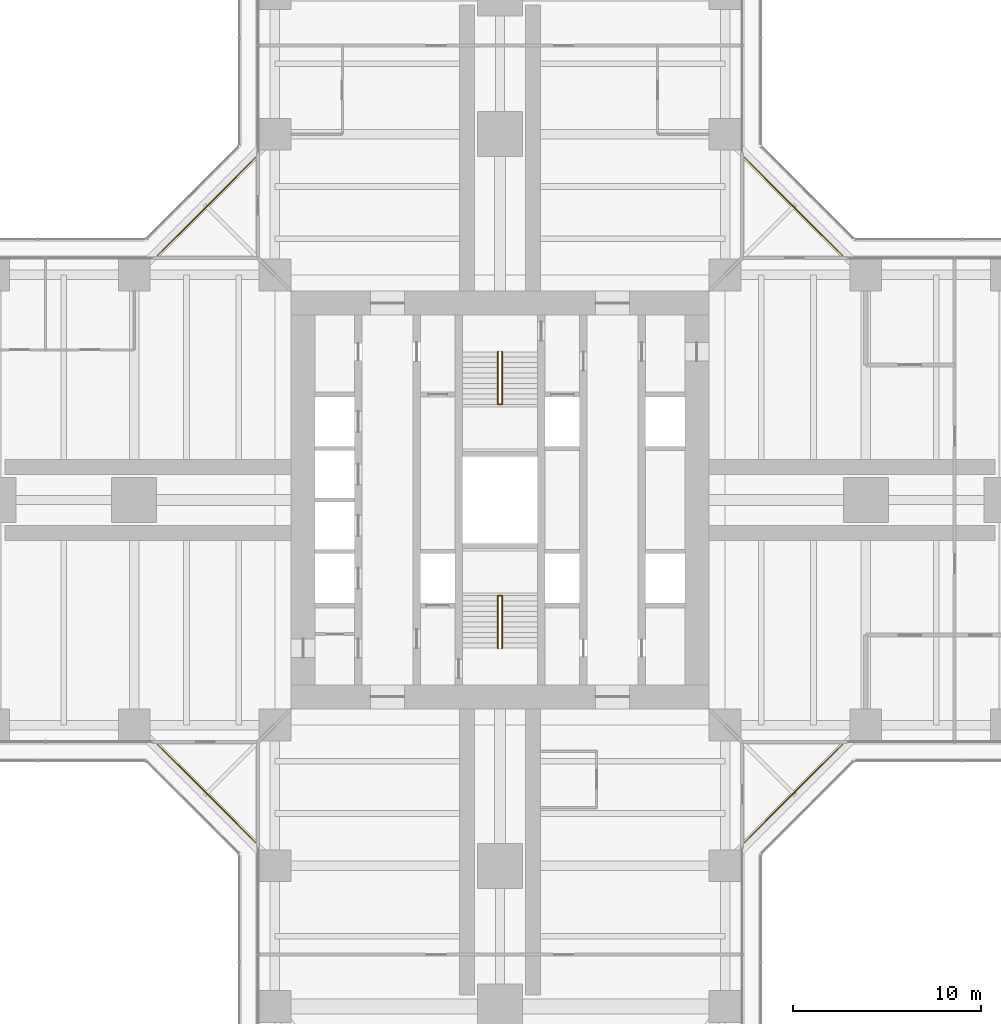
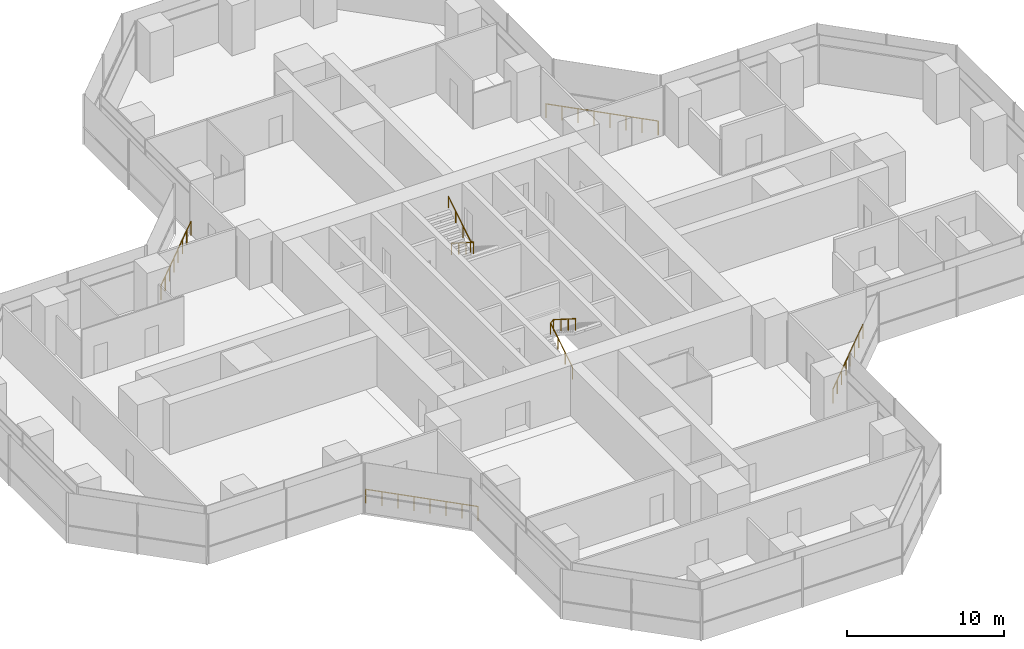
# One storey, part 22 of 22: 6 railings.
"""IFC4 building model written with IfcOpenShell, lengths in metres."""

from ifc_helpers import new_model, si_unit, direction, frame, origin, origin_2d, place, context, subcontext, project, spatial, circle, extrude, material, type_object, element, save


model = new_model("IFC4")

# Units and contexts
model_context = context("Model", 3, precision=1e-05, world=origin(), true_north=direction((0.0, 1.0)))
body_context = subcontext(model_context, "Body", "Model", "MODEL_VIEW")
ifc_project = project(units=[si_unit("LENGTHUNIT", "METRE"), si_unit("AREAUNIT", "SQUARE_METRE"), si_unit("VOLUMEUNIT", "CUBIC_METRE"), si_unit("PLANEANGLEUNIT", "RADIAN"), si_unit("MASSUNIT", "GRAM", prefix="KILO")], contexts=[model_context])

# Site, building, storey
site_placement = place(None, origin())
site = spatial("IfcSite", under=ifc_project, at=site_placement, CompositionType="ELEMENT")
building_placement = place(site_placement, origin())
building = spatial("IfcBuilding", under=site, at=building_placement, Name="Mizan Broadcast Tower", CompositionType="ELEMENT")
storey_placement = place(building_placement, frame((0.0, 0.0, 78.60009765625)))
storey = spatial("IfcBuildingStorey", under=building, at=storey_placement, Name="L16", CompositionType="ELEMENT", Elevation=78.60009765625)

# Railings
ifc_material_1 = material(Name="Stainless steel and glass guard", Category="steel")
railing_type_1 = type_object("IfcRailingType", Name="GUARD 1100", PredefinedType="GUARDRAIL", material=ifc_material_1)
railing_1_placement = place(storey_placement, frame((18.2578125, 13.030029296875, 0.0)))
element("IfcRailing", 1, at=railing_1_placement, inside=storey, type_object=railing_type_1, Name="Winter garden guard L16 E", PredefinedType="GUARDRAIL", context=body_context, shape_type="SweptSolid", body=[
    extrude(circle(Radius=0.02392578125, at=origin_2d()), frame((0.0, 0.0, 1.076171875), z_axis=(-0.707106781187, 0.707106781187, 0.0), x_axis=(-0.707106781187, -0.707106781187, 0.0)), (0.0, 0.0, 1.0), 7.393310546875),
    extrude(circle(Radius=0.02099609375, at=origin_2d()), origin(), (0.0, 0.0, 1.0), 1.052001953125),
    extrude(circle(Radius=0.02099609375, at=origin_2d()), frame((-0.746826171875, 0.746826171875, 0.0)), (0.0, 0.0, 1.0), 1.052001953125),
    extrude(circle(Radius=0.02099609375, at=origin_2d()), frame((-1.49365234375, 1.49365234375, 0.0)), (0.0, 0.0, 1.0), 1.052001953125),
    extrude(circle(Radius=0.02099609375, at=origin_2d()), frame((-2.240478515625, 2.240478515625, 0.0)), (0.0, 0.0, 1.0), 1.052001953125),
    extrude(circle(Radius=0.02099609375, at=origin_2d()), frame((-2.9873046875, 2.9873046875, 0.0)), (0.0, 0.0, 1.0), 1.052001953125),
    extrude(circle(Radius=0.02099609375, at=origin_2d()), frame((-3.734130859375, 3.734130859375, 0.0)), (0.0, 0.0, 1.0), 1.052001953125),
    extrude(circle(Radius=0.02099609375, at=origin_2d()), frame((-4.48095703125, 4.48095703125, 0.0)), (0.0, 0.0, 1.0), 1.052001953125),
    extrude(circle(Radius=0.02099609375, at=origin_2d()), frame((-5.227783203125, 5.227783203125, 0.0)), (0.0, 0.0, 1.0), 1.052001953125),
])
railing_2_placement = place(storey_placement, frame((-13.030029296875, 18.2578125, 0.0)))
element("IfcRailing", 2, at=railing_2_placement, inside=storey, type_object=railing_type_1, Name="Winter garden guard L16 N", PredefinedType="GUARDRAIL", context=body_context, shape_type="SweptSolid", body=[
    extrude(circle(Radius=0.02392578125, at=origin_2d()), frame((0.0, 0.0, 1.076171875), z_axis=(-0.707106781187, -0.707106781187, 0.0), x_axis=(0.707106781187, -0.707106781187, 0.0)), (0.0, 0.0, 1.0), 7.393310546875),
    extrude(circle(Radius=0.02099609375, at=origin_2d()), origin(), (0.0, 0.0, 1.0), 1.052001953125),
    extrude(circle(Radius=0.02099609375, at=origin_2d()), frame((-0.746826171875, -0.746826171875, 0.0)), (0.0, 0.0, 1.0), 1.052001953125),
    extrude(circle(Radius=0.02099609375, at=origin_2d()), frame((-1.49365234375, -1.49365234375, 0.0)), (0.0, 0.0, 1.0), 1.052001953125),
    extrude(circle(Radius=0.02099609375, at=origin_2d()), frame((-2.240478515625, -2.240478515625, 0.0)), (0.0, 0.0, 1.0), 1.052001953125),
    extrude(circle(Radius=0.02099609375, at=origin_2d()), frame((-2.9873046875, -2.9873046875, 0.0)), (0.0, 0.0, 1.0), 1.052001953125),
    extrude(circle(Radius=0.02099609375, at=origin_2d()), frame((-3.734130859375, -3.734130859375, 0.0)), (0.0, 0.0, 1.0), 1.052001953125),
    extrude(circle(Radius=0.02099609375, at=origin_2d()), frame((-4.48095703125, -4.48095703125, 0.0)), (0.0, 0.0, 1.0), 1.052001953125),
    extrude(circle(Radius=0.02099609375, at=origin_2d()), frame((-5.227783203125, -5.227783203125, 0.0)), (0.0, 0.0, 1.0), 1.052001953125),
])
railing_3_placement = place(storey_placement, frame((-18.2578125, -13.030029296875, 0.0)))
element("IfcRailing", 3, at=railing_3_placement, inside=storey, type_object=railing_type_1, Name="Winter garden guard L16 W", PredefinedType="GUARDRAIL", context=body_context, shape_type="SweptSolid", body=[
    extrude(circle(Radius=0.02392578125, at=origin_2d()), frame((0.0, 0.0, 1.076171875), z_axis=(0.707106781187, -0.707106781187, 0.0), x_axis=(0.707106781187, 0.707106781187, 0.0)), (0.0, 0.0, 1.0), 7.393310546875),
    extrude(circle(Radius=0.02099609375, at=origin_2d()), origin(), (0.0, 0.0, 1.0), 1.052001953125),
    extrude(circle(Radius=0.02099609375, at=origin_2d()), frame((0.746826171875, -0.746826171875, 0.0)), (0.0, 0.0, 1.0), 1.052001953125),
    extrude(circle(Radius=0.02099609375, at=origin_2d()), frame((1.49365234375, -1.49365234375, 0.0)), (0.0, 0.0, 1.0), 1.052001953125),
    extrude(circle(Radius=0.02099609375, at=origin_2d()), frame((2.240478515625, -2.240478515625, 0.0)), (0.0, 0.0, 1.0), 1.052001953125),
    extrude(circle(Radius=0.02099609375, at=origin_2d()), frame((2.9873046875, -2.9873046875, 0.0)), (0.0, 0.0, 1.0), 1.052001953125),
    extrude(circle(Radius=0.02099609375, at=origin_2d()), frame((3.734130859375, -3.734130859375, 0.0)), (0.0, 0.0, 1.0), 1.052001953125),
    extrude(circle(Radius=0.02099609375, at=origin_2d()), frame((4.48095703125, -4.48095703125, 0.0)), (0.0, 0.0, 1.0), 1.052001953125),
    extrude(circle(Radius=0.02099609375, at=origin_2d()), frame((5.227783203125, -5.227783203125, 0.0)), (0.0, 0.0, 1.0), 1.052001953125),
])
railing_4_placement = place(storey_placement, frame((13.030029296875, -18.2578125, 0.0)))
element("IfcRailing", 4, at=railing_4_placement, inside=storey, type_object=railing_type_1, Name="Winter garden guard L16 S", PredefinedType="GUARDRAIL", context=body_context, shape_type="SweptSolid", body=[
    extrude(circle(Radius=0.02392578125, at=origin_2d()), frame((0.0, 0.0, 1.076171875), z_axis=(0.707106781187, 0.707106781187, 0.0), x_axis=(-0.707106781187, 0.707106781187, 0.0)), (0.0, 0.0, 1.0), 7.393310546875),
    extrude(circle(Radius=0.02099609375, at=origin_2d()), origin(), (0.0, 0.0, 1.0), 1.052001953125),
    extrude(circle(Radius=0.02099609375, at=origin_2d()), frame((0.746826171875, 0.746826171875, 0.0)), (0.0, 0.0, 1.0), 1.052001953125),
    extrude(circle(Radius=0.02099609375, at=origin_2d()), frame((1.49365234375, 1.49365234375, 0.0)), (0.0, 0.0, 1.0), 1.052001953125),
    extrude(circle(Radius=0.02099609375, at=origin_2d()), frame((2.240478515625, 2.240478515625, 0.0)), (0.0, 0.0, 1.0), 1.052001953125),
    extrude(circle(Radius=0.02099609375, at=origin_2d()), frame((2.9873046875, 2.9873046875, 0.0)), (0.0, 0.0, 1.0), 1.052001953125),
    extrude(circle(Radius=0.02099609375, at=origin_2d()), frame((3.734130859375, 3.734130859375, 0.0)), (0.0, 0.0, 1.0), 1.052001953125),
    extrude(circle(Radius=0.02099609375, at=origin_2d()), frame((4.48095703125, 4.48095703125, 0.0)), (0.0, 0.0, 1.0), 1.052001953125),
    extrude(circle(Radius=0.02099609375, at=origin_2d()), frame((5.227783203125, 5.227783203125, 0.0)), (0.0, 0.0, 1.0), 1.052001953125),
])
ifc_material_2 = material(Name="Stainless steel", Category="steel")
railing_type_2 = type_object("IfcRailingType", Name="HANDRAIL 50", PredefinedType="HANDRAIL", material=ifc_material_2)
railing_5_placement = place(storey_placement, frame((-0.110107421875, -7.89990234375, 0.17724609375)))
element("IfcRailing", 5, at=railing_5_placement, inside=storey, type_object=railing_type_2, Name="Stair A handrail", PredefinedType="HANDRAIL", context=body_context, shape_type="SweptSolid", body=[
    extrude(circle(Radius=0.02392578125, at=origin_2d()), frame((0.0, 0.0, 0.8759765625), z_axis=(0.0, 0.844887892834, 0.53494340686), x_axis=(-1.0, 0.0, 0.0)), (0.0, 0.0, 1.0), 3.313720703125),
    extrude(circle(Radius=0.02392578125, at=origin_2d()), frame((0.0, 2.7998046875, 2.6484375), z_axis=(0.779011685263, 0.0, 0.627009405212), x_axis=(0.0, 1.0, 0.0)), (0.0, 0.0, 1.0), 0.28271484375),
    extrude(circle(Radius=0.02392578125, at=origin_2d()), frame((0.22021484375, 2.7998046875, 2.82568359375), z_axis=(0.0, -0.844887892834, 0.53494340686), x_axis=(1.0, 0.0, 0.0)), (0.0, 0.0, 1.0), 3.313720703125),
    extrude(circle(Radius=0.02099609375, at=origin_2d()), origin(), (0.0, 0.0, 1.0), 0.851806640625),
    extrude(circle(Radius=0.02099609375, at=origin_2d()), frame((0.0, 0.933349609375, 0.5908203125)), (0.0, 0.0, 1.0), 0.851806640625),
    extrude(circle(Radius=0.02099609375, at=origin_2d()), frame((0.0, 1.866455078125, 1.181884765625)), (0.0, 0.0, 1.0), 0.851806640625),
    extrude(circle(Radius=0.02099609375, at=origin_2d()), frame((0.0, 2.7998046875, 1.772705078125)), (0.0, 0.0, 1.0), 0.851806640625),
    extrude(circle(Radius=0.02099609375, at=origin_2d()), frame((0.22021484375, 2.7998046875, 1.949951171875)), (0.0, 0.0, 1.0), 0.851806640625),
    extrude(circle(Radius=0.02099609375, at=origin_2d()), frame((0.22021484375, 1.866455078125, 2.540771484375)), (0.0, 0.0, 1.0), 0.851806640625),
    extrude(circle(Radius=0.02099609375, at=origin_2d()), frame((0.22021484375, 0.933349609375, 3.1318359375)), (0.0, 0.0, 1.0), 0.851806640625),
    extrude(circle(Radius=0.02099609375, at=origin_2d()), frame((0.22021484375, 0.0, 3.72265625)), (0.0, 0.0, 1.0), 0.851806640625),
])
railing_6_placement = place(storey_placement, frame((0.110107421875, 7.89990234375, 0.17724609375)))
element("IfcRailing", 6, at=railing_6_placement, inside=storey, type_object=railing_type_2, Name="Stair B handrail", PredefinedType="HANDRAIL", context=body_context, shape_type="SweptSolid", body=[
    extrude(circle(Radius=0.02392578125, at=origin_2d()), frame((0.0, 0.0, 0.8759765625), z_axis=(0.0, -0.844887892834, 0.53494340686), x_axis=(1.0, 0.0, 0.0)), (0.0, 0.0, 1.0), 3.313720703125),
    extrude(circle(Radius=0.02392578125, at=origin_2d()), frame((0.0, -2.7998046875, 2.6484375), z_axis=(-0.779011685263, 0.0, 0.627009405212), x_axis=(0.0, -1.0, 0.0)), (0.0, 0.0, 1.0), 0.28271484375),
    extrude(circle(Radius=0.02392578125, at=origin_2d()), frame((-0.22021484375, -2.7998046875, 2.82568359375), z_axis=(0.0, 0.844887892834, 0.53494340686), x_axis=(-1.0, 0.0, 0.0)), (0.0, 0.0, 1.0), 3.313720703125),
    extrude(circle(Radius=0.02099609375, at=origin_2d()), origin(), (0.0, 0.0, 1.0), 0.851806640625),
    extrude(circle(Radius=0.02099609375, at=origin_2d()), frame((0.0, -0.933349609375, 0.5908203125)), (0.0, 0.0, 1.0), 0.851806640625),
    extrude(circle(Radius=0.02099609375, at=origin_2d()), frame((0.0, -1.866455078125, 1.181884765625)), (0.0, 0.0, 1.0), 0.851806640625),
    extrude(circle(Radius=0.02099609375, at=origin_2d()), frame((0.0, -2.7998046875, 1.772705078125)), (0.0, 0.0, 1.0), 0.851806640625),
    extrude(circle(Radius=0.02099609375, at=origin_2d()), frame((-0.22021484375, -2.7998046875, 1.949951171875)), (0.0, 0.0, 1.0), 0.851806640625),
    extrude(circle(Radius=0.02099609375, at=origin_2d()), frame((-0.22021484375, -1.866455078125, 2.540771484375)), (0.0, 0.0, 1.0), 0.851806640625),
    extrude(circle(Radius=0.02099609375, at=origin_2d()), frame((-0.22021484375, -0.933349609375, 3.1318359375)), (0.0, 0.0, 1.0), 0.851806640625),
    extrude(circle(Radius=0.02099609375, at=origin_2d()), frame((-0.22021484375, 0.0, 3.72265625)), (0.0, 0.0, 1.0), 0.851806640625),
])

save(model, "model.ifc")
